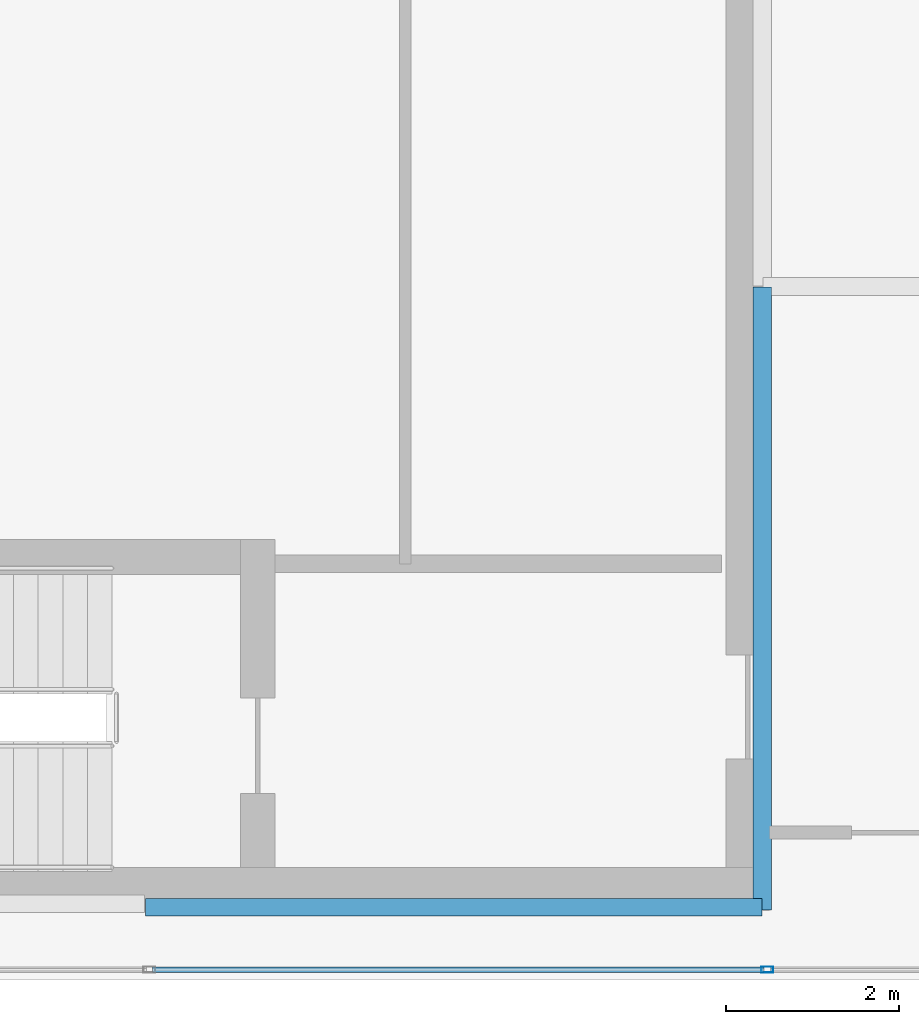
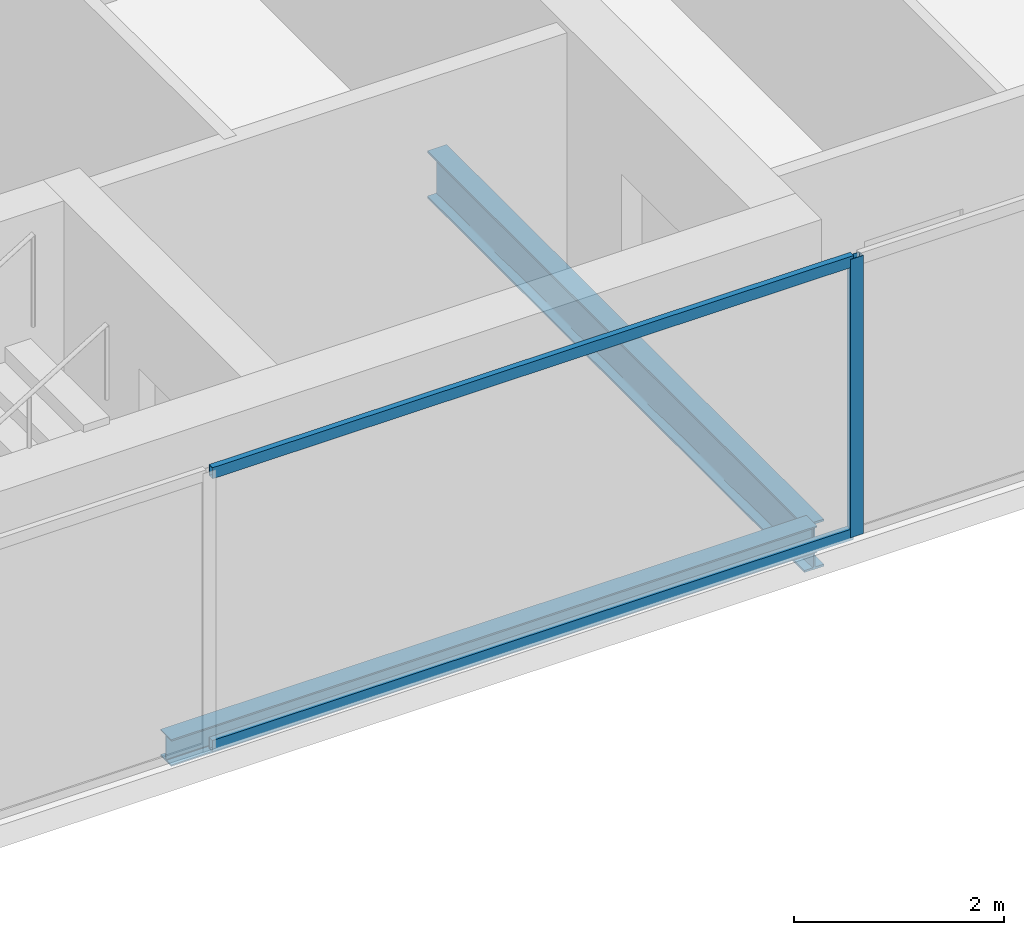
# One storey, part 3 of 23: 3 members, 2 beams, 1 element without a shape of its own.
"""IFC4 building model written with IfcOpenShell, lengths in metres."""

from ifc_helpers import new_model, si_unit, direction, frame, origin, origin_2d, place, context, subcontext, project, spatial, hollow_rectangle, i_section, extrude, material, material_profile, profile_set, type_object, element, aggregate, save


model = new_model("IFC4")

# Units and contexts
model_context = context("Model", 3, precision=1e-05, world=origin(), true_north=direction((0.0, 1.0)))
body_context = subcontext(model_context, "Body", "Model", "MODEL_VIEW")
ifc_project = project(units=[si_unit("LENGTHUNIT", "METRE"), si_unit("AREAUNIT", "SQUARE_METRE"), si_unit("VOLUMEUNIT", "CUBIC_METRE"), si_unit("PLANEANGLEUNIT", "RADIAN"), si_unit("MASSUNIT", "GRAM", prefix="KILO")], contexts=[model_context])

# Site, building, storey
site_placement = place(None, origin())
site = spatial("IfcSite", under=ifc_project, at=site_placement, CompositionType="ELEMENT")
building_placement = place(site_placement, origin())
building = spatial("IfcBuilding", under=site, at=building_placement, Name="Cobrela Telecom Tower", CompositionType="ELEMENT")
storey_placement = place(building_placement, frame((0.0, 0.0, 265.64990234375)))
storey = spatial("IfcBuildingStorey", under=building, at=storey_placement, Name="L69", CompositionType="ELEMENT", Elevation=265.64990234375)

# Beams
ifc_material_1 = material(Name="Steel ASTM A992 Grade 50", Category="steel")
ifc_material_profile_1 = material_profile(ifc_material_1, i_section(OverallWidth=0.212890625, OverallDepth=0.549072265625, WebThickness=0.0146484375, FlangeThickness=0.023681640625, FilletRadius=0.013916015625, at=origin_2d()), Name="W21X93")
ifc_profile_set_1 = profile_set([ifc_material_profile_1], Name="Steel ASTM A992 Grade 50")
beam_type_1 = type_object("IfcBeamType", Name="BM-GIRD-08", PredefinedType="USERDEFINED", material=ifc_profile_set_1)
beam_1_placement = place(storey_placement, frame((14.320068359375, 7.205078125, -0.534423828125), z_axis=(0.0, 1.0, 0.0), x_axis=(-1.0, 0.0, 0.0)))
element("IfcBeam", 1, at=beam_1_placement, inside=storey, type_object=beam_type_1, Name="L69 Primary Girder Y21", ObjectType="GIRDER", PredefinedType="USERDEFINED", context=body_context, shape_type="SweptSolid", body=[
    extrude(i_section(OverallWidth=0.212890625, OverallDepth=0.549072265625, WebThickness=0.0146484375, FlangeThickness=0.023681640625, FilletRadius=0.013916015625, at=origin_2d()), origin(), (0.0, 0.0, 1.0), 7.18994140625),
])
ifc_material_profile_2 = material_profile(ifc_material_1, i_section(OverallWidth=0.205078125, OverallDepth=0.31005859375, WebThickness=0.009521484375, FlangeThickness=0.016357421875, FilletRadius=0.010986328125, at=origin_2d()), Name="W12X50")
ifc_profile_set_2 = profile_set([ifc_material_profile_2], Name="Steel ASTM A992 Grade 50")
beam_type_2 = type_object("IfcBeamType", Name="BM-SPAND-07", PredefinedType="SPANDREL", material=ifc_profile_set_2)
beam_2_placement = place(storey_placement, frame((7.205078125, 7.239990234375, -0.414794921875), z_axis=(1.0, 0.0, 0.0), x_axis=(0.0, 1.0, 0.0)))
element("IfcBeam", 2, at=beam_2_placement, inside=storey, type_object=beam_type_2, Name="L69 Perimeter Spandrel X02", PredefinedType="SPANDREL", context=body_context, shape_type="SweptSolid", body=[
    extrude(i_section(OverallWidth=0.205078125, OverallDepth=0.31005859375, WebThickness=0.009521484375, FlangeThickness=0.016357421875, FilletRadius=0.010986328125, at=origin_2d()), origin(), (0.0, 0.0, 1.0), 7.10986328125),
])

# Curtain wall, members
ifc_material_2 = material(Name="Anodized Bronze Aluminium 6063-T6", Category="aluminium")
curtain_wall_type = type_object("IfcCurtainWallType", Name="CW-SYS-OFF-HI", PredefinedType="USERDEFINED", material=ifc_material_2)
curtain_wall_placement = place(storey_placement, origin())
curtain_wall = element("IfcCurtainWall", 3, at=curtain_wall_placement, inside=storey, type_object=curtain_wall_type, Name="L69 Unitised Bronze Curtain Wall 15", ObjectType="UNITISED CURTAIN WALL", PredefinedType="USERDEFINED")
ifc_material_profile_3 = material_profile(ifc_material_2, hollow_rectangle(XDim=0.070068359375, YDim=0.139892578125, WallThickness=0.00390625, at=origin_2d()), Name="ALU 70x140x4")
ifc_profile_set_3 = profile_set([ifc_material_profile_3], Name="Anodized Bronze Aluminium 6063-T6")
member_type_1 = type_object("IfcMemberType", Name="CW-SYS-OFF-HI-MUL", PredefinedType="MULLION", material=ifc_profile_set_3)
member_1_placement = place(storey_placement, frame((14.376708984375, 6.52001953125, 0.0), z_axis=(0.0, 0.0, 1.0), x_axis=(0.0, -1.0, 0.0)))
member_1 = element("IfcMember", 4, at=member_1_placement, type_object=member_type_1, Name="CW-OFF-HI mullion 5", PredefinedType="MULLION", context=body_context, shape_type="SweptSolid", body=[
    extrude(hollow_rectangle(XDim=0.070068359375, YDim=0.139892578125, WallThickness=0.00390625, at=origin_2d()), origin(), (0.0, 0.0, 1.0), 3.239990234375),
])
ifc_material_profile_4 = material_profile(ifc_material_2, hollow_rectangle(XDim=0.06494140625, YDim=0.1298828125, WallThickness=0.00390625, at=origin_2d()), Name="ALU 65x130x4")
ifc_profile_set_4 = profile_set([ifc_material_profile_4], Name="Anodized Bronze Aluminium 6063-T6")
member_type_2 = type_object("IfcMemberType", Name="CW-SYS-OFF-HI-TRN", PredefinedType="USERDEFINED", material=ifc_profile_set_4)
member_2_placement = place(storey_placement, frame((14.341552734375, 6.52001953125, 0.03271484375), z_axis=(-1.0, 0.0, 0.0), x_axis=(0.0, -1.0, 0.0)))
member_2 = element("IfcMember", 5, at=member_2_placement, type_object=member_type_2, Name="CW-OFF-HI transom 5.1", ObjectType="TRANSOM", PredefinedType="USERDEFINED", context=body_context, shape_type="SweptSolid", body=[
    extrude(hollow_rectangle(XDim=0.06494140625, YDim=0.1298828125, WallThickness=0.00390625, at=origin_2d()), origin(), (0.0, 0.0, 1.0), 7.05810546875),
])
member_3_placement = place(storey_placement, frame((14.341552734375, 6.52001953125, 3.20751953125), z_axis=(-1.0, 0.0, 0.0), x_axis=(0.0, -1.0, 0.0)))
member_3 = element("IfcMember", 6, at=member_3_placement, type_object=member_type_2, Name="CW-OFF-HI transom 5.2", ObjectType="TRANSOM", PredefinedType="USERDEFINED", context=body_context, shape_type="SweptSolid", body=[
    extrude(hollow_rectangle(XDim=0.06494140625, YDim=0.1298828125, WallThickness=0.00390625, at=origin_2d()), origin(), (0.0, 0.0, 1.0), 7.05810546875),
])
aggregate(curtain_wall, [member_1, member_2, member_3])

save(model, "model.ifc")
